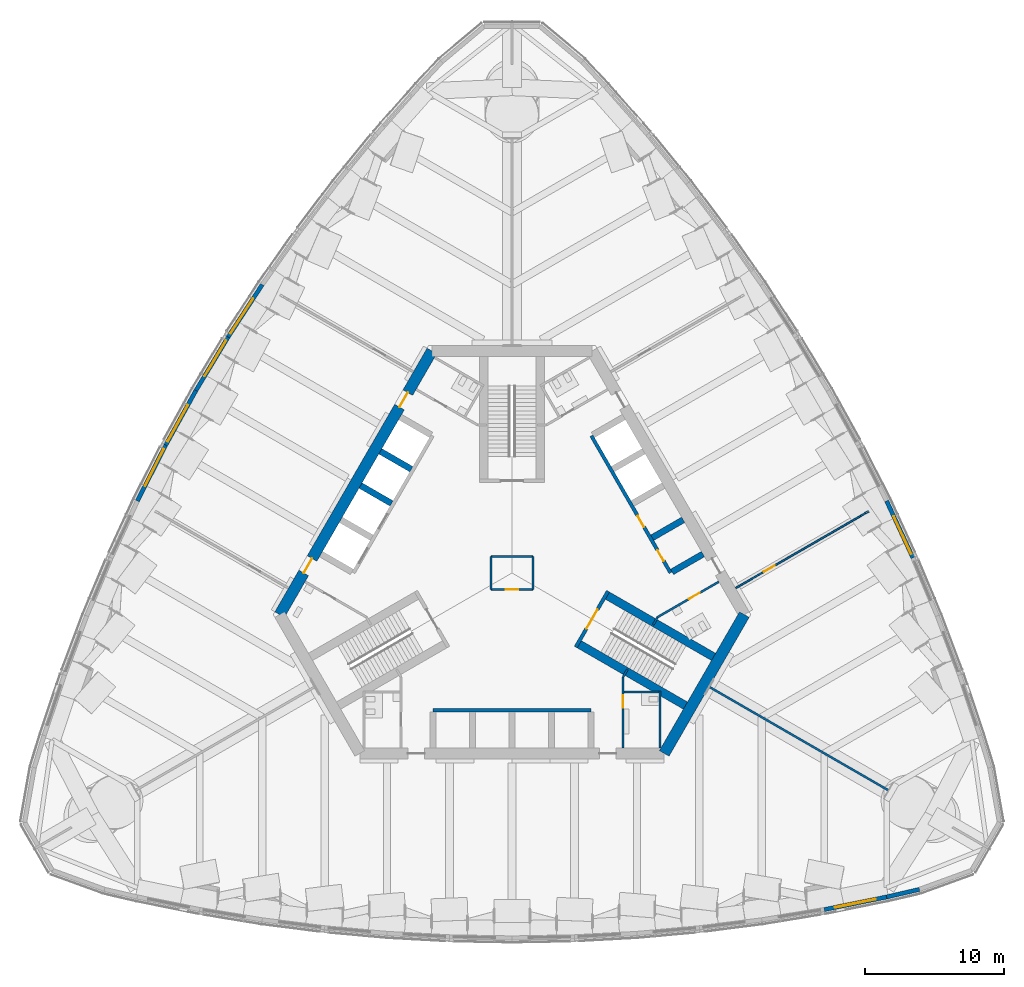
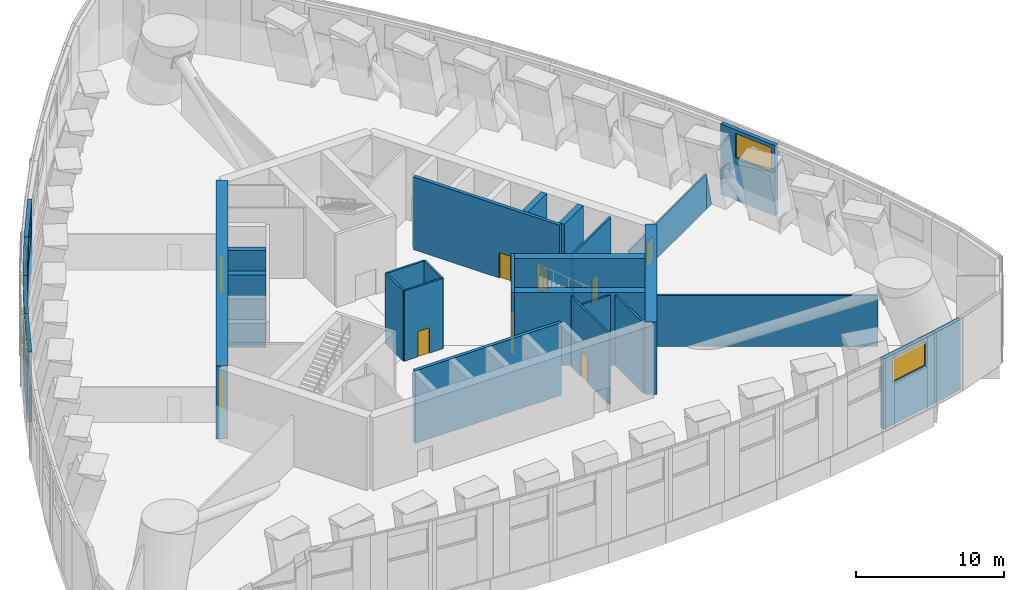
# One storey, part 8 of 25: 31 walls, 9 doors, 6 windows, 15 openings.
"""IFC4 building model written with IfcOpenShell, lengths in metres."""

import ifcopenshell
import ifcopenshell.guid

model = None  # the IFC model being written
_history = None  # IfcOwnerHistory: only IFC2X3 demands one
_inside = {}  # id of a spatial element -> (the spatial element, [elements in it])
_under = {}  # id of a project, library or spatial element -> (it, [spatial elements below it])
_declared = {}  # id of a project -> (the project, [libraries it declares])
_typed = {}  # id of a type object -> (the type object, [elements of that type])
_made_of = {}  # id of a material, layer set ... -> (it, [elements and type objects made of it])


def new_model(schema):
    """Start an empty IFC model of exactly this schema.

    Asked for "IFC4X3", IfcOpenShell would pick the latest addendum, in which some entities
    have other attributes; the version numbers below select the first issue.
    IFC2X3 requires an IfcOwnerHistory on every rooted entity: one is made here for all.
    """
    global model, _history
    if schema == "IFC4X3":
        model = ifcopenshell.file(schema_version=(4, 3, 0, 0))
    else:
        model = ifcopenshell.file(schema=schema)
    _inside.clear()
    _under.clear()
    _declared.clear()
    _typed.clear()
    _made_of.clear()
    _history = None
    if model.schema == "IFC2X3":
        org = make("IfcOrganization", Name="unknown")
        user = make(
            "IfcPersonAndOrganization",
            ThePerson=make("IfcPerson", FamilyName="unknown"),
            TheOrganization=org,
        )
        app = make(
            "IfcApplication",
            ApplicationDeveloper=org,
            Version="unknown",
            ApplicationFullName="unknown",
            ApplicationIdentifier="unknown",
        )
        _history = make(
            "IfcOwnerHistory",
            OwningUser=user,
            OwningApplication=app,
            ChangeAction="ADDED",
            CreationDate=0,
        )
    return model


def make(cls, **values):
    """One entity of the class cls with the attributes given. An attribute that is None is left unset."""
    return model.create_entity(
        cls, **{name: value for name, value in values.items() if value is not None}
    )


def rooted(cls, **values):
    """An entity with a GlobalId (a new one), such as an element, a storey or a relation."""
    return make(cls, GlobalId=ifcopenshell.guid.new(), OwnerHistory=_history, **values)


def si_unit(unit_type, name, prefix=None):
    """IfcSIUnit, for example si_unit("LENGTHUNIT", "METRE", prefix="MILLI")."""
    return make("IfcSIUnit", UnitType=unit_type, Prefix=prefix, Name=name)


def assignment(units):
    """IfcUnitAssignment: the units of a project."""
    return None if units is None else make("IfcUnitAssignment", Units=units)


def point(xyz):
    """IfcCartesianPoint."""
    return None if xyz is None else make("IfcCartesianPoint", Coordinates=xyz)


def direction(xyz):
    """IfcDirection."""
    return None if xyz is None else make("IfcDirection", DirectionRatios=xyz)


def frame(location, z_axis=None, x_axis=None):
    """IfcAxis2Placement3D, a coordinate frame: its origin and axes. An axis left out is left unset."""
    return make(
        "IfcAxis2Placement3D",
        Location=point(location),
        Axis=direction(z_axis),
        RefDirection=direction(x_axis),
    )


def frame_2d(location, x_axis=None):
    """IfcAxis2Placement2D, a coordinate frame in the plane: its origin and x axis."""
    return make(
        "IfcAxis2Placement2D", Location=point(location), RefDirection=direction(x_axis)
    )


def origin():
    """The frame at (0, 0, 0) with its axes left unset."""
    return frame((0.0, 0.0, 0.0))


def place(relative_to, where):
    """IfcLocalPlacement: puts the frame where relative to a parent placement (None: the world)."""
    return make(
        "IfcLocalPlacement", PlacementRelTo=relative_to, RelativePlacement=where
    )


def context(
    kind, dimensions, precision=None, world=None, true_north=None, identifier=None
):
    """IfcGeometricRepresentationContext, for example the 3D "Model" context."""
    return make(
        "IfcGeometricRepresentationContext",
        ContextIdentifier=identifier,
        ContextType=kind,
        CoordinateSpaceDimension=dimensions,
        Precision=precision,
        WorldCoordinateSystem=world,
        TrueNorth=true_north,
    )


def subcontext(parent, identifier, kind, view, scale=None):
    """IfcGeometricRepresentationSubContext, for example "Body" below "Model"."""
    return make(
        "IfcGeometricRepresentationSubContext",
        ContextIdentifier=identifier,
        ContextType=kind,
        ParentContext=parent,
        TargetScale=scale,
        TargetView=view,
    )


def project(units=None, contexts=None):
    """IfcProject with its units and contexts."""
    return rooted(
        "IfcProject",
        Name="project",
        RepresentationContexts=contexts,
        UnitsInContext=assignment(units),
    )


def spatial(cls, under=None, at=None, **own):
    """A site, building, storey or space (cls), placed at a placement, below another one or the project."""
    s = rooted(cls, ObjectPlacement=at, **own)
    if under is not None:
        _under.setdefault(under.id(), (under, []))[1].append(s)
    return s


def polyline(points):
    """IfcPolyline through the points."""
    return make("IfcPolyline", Points=[point(p) for p in points])


def profile(cls, at=None, kind="AREA", **sizes):
    """A parametric profile (cls). Its sizes go by their IFC names, for example OverallWidth=200.0."""
    return make(cls, ProfileType=kind, Position=at, **sizes)


def rectangle(**sizes):
    """IfcRectangleProfileDef."""
    return profile("IfcRectangleProfileDef", **sizes)


def outline(outer, holes=None, kind="AREA"):
    """IfcArbitraryClosedProfileDef: a profile drawn as a closed curve; with holes, ...WithVoids."""
    if holes is None:
        return make("IfcArbitraryClosedProfileDef", ProfileType=kind, OuterCurve=outer)
    return make(
        "IfcArbitraryProfileDefWithVoids",
        ProfileType=kind,
        OuterCurve=outer,
        InnerCurves=holes,
    )


def extrude(swept, where, along, depth):
    """IfcExtrudedAreaSolid: the profile swept, set in the frame where, extruded along a direction by depth."""
    return make(
        "IfcExtrudedAreaSolid",
        SweptArea=swept,
        Position=where,
        ExtrudedDirection=direction(along),
        Depth=depth,
    )


def shape(context_of_items, identifier, shape_type, items):
    """IfcShapeRepresentation: the items that make up one representation, for example the "Body"."""
    return make(
        "IfcShapeRepresentation",
        ContextOfItems=context_of_items,
        RepresentationIdentifier=identifier,
        RepresentationType=shape_type,
        Items=items,
    )


def material(Name=None, Category=None):
    """IfcMaterial."""
    return make("IfcMaterial", Name=Name, Category=Category)


def layer(
    of_material, thickness, ventilated=None, Name=None, Category=None, Priority=None
):
    """IfcMaterialLayer: one layer of a wall or slab, of a material (None: an air gap)."""
    return make(
        "IfcMaterialLayer",
        Material=of_material,
        LayerThickness=thickness,
        IsVentilated=ventilated,
        Name=Name,
        Category=Category,
        Priority=Priority,
    )


def layer_set(layers, Name=None):
    """IfcMaterialLayerSet."""
    return make("IfcMaterialLayerSet", MaterialLayers=layers, LayerSetName=Name)


def made_of(thing, what):
    """Note that an element or type object is made of a material, layer set ...; save() writes the relation."""
    if what is not None:
        _made_of.setdefault(what.id(), (what, []))[1].append(thing)
    return thing


def type_object(cls, material=None, **own):
    """A type object (cls), such as IfcWallType, which elements share."""
    return made_of(rooted(cls, **own), material)


def element(
    cls,
    number,
    at=None,
    inside=None,
    cuts=None,
    type_object=None,
    material=None,
    context=None,
    identifier="Body",
    shape_type=None,
    held_by="IfcProductDefinitionShape",
    body=None,
    shapes=None,
    **own,
):
    """One element of the class cls, such as IfcWall. Its Tag is "e" and its number.

    at: its placement. inside: the storey or other place that contains it. cuts: it is an
    opening in that element (IfcRelVoidsElement). A single representation is given by context,
    identifier, shape_type and body (its items); several are given by shapes. held_by: the class
    of the entity that holds the representations. save() writes the other relations.
    """
    e = rooted(cls, Tag="e%d" % number, ObjectPlacement=at, **own)
    if body is not None:
        shapes = [shape(context, identifier, shape_type, body)]
    if shapes is not None:
        e.Representation = make(held_by, Representations=shapes)
    if inside is not None:
        _inside.setdefault(inside.id(), (inside, []))[1].append(e)
    if cuts is not None:
        rooted(
            "IfcRelVoidsElement", RelatingBuildingElement=cuts, RelatedOpeningElement=e
        )
    if type_object is not None:
        _typed.setdefault(type_object.id(), (type_object, []))[1].append(e)
    return made_of(e, material)


def fill(opening, filler):
    """IfcRelFillsElement: the door or window that sits in an opening."""
    return rooted(
        "IfcRelFillsElement",
        RelatingOpeningElement=opening,
        RelatedBuildingElement=filler,
    )


def aggregate(whole, parts):
    """IfcRelAggregates: a whole, such as a stair, and the parts it consists of."""
    return rooted("IfcRelAggregates", RelatingObject=whole, RelatedObjects=parts)


def save(model, path):
    """Write the relations noted so far, then the file.

    IfcRelAggregates (storeys below a building ...), IfcRelContainedInSpatialStructure (elements
    in a storey), IfcRelDefinesByType, IfcRelAssociatesMaterial and IfcRelDeclares: one each for
    every whole, place, type object, material and project.
    """
    for whole, parts in _under.values():
        aggregate(whole, parts)
    for where, things in _inside.values():
        rooted(
            "IfcRelContainedInSpatialStructure",
            RelatedElements=things,
            RelatingStructure=where,
        )
    for kind, things in _typed.values():
        rooted("IfcRelDefinesByType", RelatedObjects=things, RelatingType=kind)
    for what, things in _made_of.values():
        rooted("IfcRelAssociatesMaterial", RelatedObjects=things, RelatingMaterial=what)
    for by, libraries in _declared.values():
        rooted("IfcRelDeclares", RelatingContext=by, RelatedDefinitions=libraries)
    model.write(path)


model = new_model("IFC4")

# Units and contexts
model_context = context("Model", 3, precision=1e-05, world=origin(), true_north=direction((0.0, 1.0)))
body_context = subcontext(model_context, "Body", "Model", "MODEL_VIEW")
ifc_project = project(units=[si_unit("LENGTHUNIT", "METRE"), si_unit("AREAUNIT", "SQUARE_METRE"), si_unit("VOLUMEUNIT", "CUBIC_METRE"), si_unit("PLANEANGLEUNIT", "RADIAN"), si_unit("MASSUNIT", "GRAM", prefix="KILO")], contexts=[model_context])

# Site, building, storey
site_placement = place(None, origin())
site = spatial("IfcSite", under=ifc_project, at=site_placement, CompositionType="ELEMENT")
building_placement = place(site_placement, origin())
building = spatial("IfcBuilding", under=site, at=building_placement, Name="Trefoil Bronze Tower", CompositionType="ELEMENT")
storey_placement = place(building_placement, frame((0.0, 0.0, 178.699951171875)))
storey = spatial("IfcBuildingStorey", under=building, at=storey_placement, Name="L41", CompositionType="ELEMENT", Elevation=178.699951171875)

# Wall, opening, window
ifc_material_1 = material(Name="Concrete B80", Category="concrete")
ifc_layer_1 = layer(ifc_material_1, 0.300048828125)
ifc_layer_set_1 = layer_set([ifc_layer_1], Name="Belt wall 300")
wall_type_1 = type_object("IfcWallType", Name="Belt wall 300", PredefinedType="SOLIDWALL", material=ifc_layer_set_1)
wall_1_placement = place(storey_placement, frame((22.5, -24.255859375, 0.0), z_axis=(0.0, 0.0, 1.0), x_axis=(0.980152955069, 0.198242741781, 0.0)))
wall_1 = element("IfcWall", 1, at=wall_1_placement, inside=storey, type_object=wall_type_1, Name="Belt wall T2.13", PredefinedType="SOLIDWALL", context=body_context, shape_type="SweptSolid", body=[
    extrude(rectangle(XDim=4.591064453125, YDim=0.300048828125, at=frame_2d((2.29541015625, 0.0))), origin(), (0.0, 0.0, 1.0), 5.800048828125),
])
opening_1_placement = place(wall_1_placement, frame((0.795654296875, 0.0, 3.5)))
opening_1 = element("IfcOpeningElement", 2, at=opening_1_placement, cuts=wall_1, Name="Opening LV1", PredefinedType="OPENING", context=body_context, shape_type="SweptSolid", body=[
    extrude(rectangle(XDim=3.0, YDim=2.0, at=frame_2d((1.5, 1.0))), frame((0.0, 0.159912109375, 0.0), z_axis=(0.0, -1.0, 0.0), x_axis=(1.0, 0.0, 0.0)), (0.0, 0.0, 1.0), 0.320068359375),
])
ifc_material_2 = material(Name="Bronze-finish aluminium louvre", Category="aluminium")
window_type = type_object("IfcWindowType", Name="Plant louvre 3000", PartitioningType="SINGLE_PANEL", PredefinedType="USERDEFINED", material=ifc_material_2)
window_1_placement = place(opening_1_placement, origin())
window_1 = element("IfcWindow", 3, at=window_1_placement, inside=storey, type_object=window_type, Name="Plant louvre L41 F1.13.1", ObjectType="LOUVRE", OverallHeight=2.0, OverallWidth=3.0, PartitioningType="SINGLE_PANEL", PredefinedType="USERDEFINED", context=body_context, shape_type="SweptSolid", body=[
    extrude(rectangle(XDim=3.0, YDim=2.0, at=frame_2d((1.5, 1.0))), frame((0.0, 0.030029296875, 0.0), z_axis=(0.0, -1.0, 0.0), x_axis=(1.0, 0.0, 0.0)), (0.0, 0.0, 1.0), 0.06005859375),
])
fill(opening_1, window_1)

# Wall
wall_2_placement = place(storey_placement, frame((27.0, -23.345703125, 0.0), z_axis=(0.0, 0.0, 1.0), x_axis=(0.974203832844, 0.225669874089, 0.0)))
element("IfcWall", 4, at=wall_2_placement, inside=storey, type_object=wall_type_1, Name="Belt wall T2.14", PredefinedType="SOLIDWALL", context=body_context, shape_type="SweptSolid", body=[
    extrude(rectangle(XDim=2.420166015625, YDim=0.300048828125, at=frame_2d((1.2099609375, 0.0))), origin(), (0.0, 0.0, 1.0), 5.800048828125),
])

# Wall, opening, window
wall_3_placement = place(storey_placement, frame((28.892333984375, 1.092529296875, 0.0), z_axis=(0.0, 0.0, 1.0), x_axis=(-0.419948870618, 0.907547765171, 0.0)))
wall_3 = element("IfcWall", 5, at=wall_3_placement, inside=storey, type_object=wall_type_1, Name="Belt wall T2.22", PredefinedType="SOLIDWALL", context=body_context, shape_type="SweptSolid", body=[
    extrude(rectangle(XDim=4.518310546875, YDim=0.300048828125, at=frame_2d((2.25927734375, 0.0))), origin(), (0.0, 0.0, 1.0), 5.800048828125),
])
opening_2_placement = place(wall_3_placement, frame((0.300048828125, 0.0, 3.5)))
opening_2 = element("IfcOpeningElement", 6, at=opening_2_placement, cuts=wall_3, Name="Opening LV1", PredefinedType="OPENING", context=body_context, shape_type="SweptSolid", body=[
    extrude(rectangle(XDim=3.0, YDim=2.0, at=frame_2d((1.5, 1.0))), frame((0.0, 0.159912109375, 0.0), z_axis=(0.0, -1.0, 0.0), x_axis=(1.0, 0.0, 0.0)), (0.0, 0.0, 1.0), 0.320068359375),
])
window_2_placement = place(opening_2_placement, origin())
window_2 = element("IfcWindow", 7, at=window_2_placement, inside=storey, type_object=window_type, Name="Plant louvre L41 F2.5.1", ObjectType="LOUVRE", OverallHeight=2.0, OverallWidth=3.0, PartitioningType="SINGLE_PANEL", PredefinedType="USERDEFINED", context=body_context, shape_type="SweptSolid", body=[
    extrude(rectangle(XDim=3.0, YDim=2.0, at=frame_2d((1.5, 1.0))), frame((0.0, 0.030029296875, 0.0), z_axis=(0.0, -1.0, 0.0), x_axis=(1.0, 0.0, 0.0)), (0.0, 0.0, 1.0), 0.06005859375),
])
fill(opening_2, window_2)

wall_4_placement = place(storey_placement, frame((-17.994873046875, 20.78173828125, 0.0), z_axis=(0.0, 0.0, 1.0), x_axis=(-0.546107481908, -0.83771511757, 0.0)))
wall_4 = element("IfcWall", 8, at=wall_4_placement, inside=storey, type_object=wall_type_1, Name="Belt wall T2.40", PredefinedType="SOLIDWALL", context=body_context, shape_type="SweptSolid", body=[
    extrude(rectangle(XDim=4.5068359375, YDim=0.300048828125, at=frame_2d((2.25341796875, 0.0))), origin(), (0.0, 0.0, 1.0), 5.800048828125),
])
opening_3_placement = place(wall_4_placement, frame((1.20654296875, 0.0, 3.5)))
opening_3 = element("IfcOpeningElement", 9, at=opening_3_placement, cuts=wall_4, Name="Opening LV1", PredefinedType="OPENING", context=body_context, shape_type="SweptSolid", body=[
    extrude(rectangle(XDim=3.0, YDim=2.0, at=frame_2d((1.5, 1.0))), frame((0.0, 0.159912109375, 0.0), z_axis=(0.0, -1.0, 0.0), x_axis=(1.0, 0.0, 0.0)), (0.0, 0.0, 1.0), 0.320068359375),
])
window_3_placement = place(opening_3_placement, origin())
window_3 = element("IfcWindow", 10, at=window_3_placement, inside=storey, type_object=window_type, Name="Plant louvre L41 F3.6.1", ObjectType="LOUVRE", OverallHeight=2.0, OverallWidth=3.0, PartitioningType="SINGLE_PANEL", PredefinedType="USERDEFINED", context=body_context, shape_type="SweptSolid", body=[
    extrude(rectangle(XDim=3.0, YDim=2.0, at=frame_2d((1.5, 1.0))), frame((0.0, 0.030029296875, 0.0), z_axis=(0.0, -1.0, 0.0), x_axis=(1.0, 0.0, 0.0)), (0.0, 0.0, 1.0), 0.06005859375),
])
fill(opening_3, window_3)

wall_5_placement = place(storey_placement, frame((-20.4560546875, 17.00634765625, 0.0), z_axis=(0.0, 0.0, 1.0), x_axis=(-0.515508537432, -0.856884442521, 0.0)))
wall_5 = element("IfcWall", 11, at=wall_5_placement, inside=storey, type_object=wall_type_1, Name="Belt wall T2.41", PredefinedType="SOLIDWALL", context=body_context, shape_type="SweptSolid", body=[
    extrude(rectangle(XDim=4.50048828125, YDim=0.300048828125, at=frame_2d((2.250244140625, 0.0))), origin(), (0.0, 0.0, 1.0), 5.800048828125),
])
opening_4_placement = place(wall_5_placement, frame((0.300048828125, 0.0, 3.5)))
opening_4 = element("IfcOpeningElement", 12, at=opening_4_placement, cuts=wall_5, Name="Opening LV1", PredefinedType="OPENING", context=body_context, shape_type="SweptSolid", body=[
    extrude(rectangle(XDim=3.0, YDim=2.0, at=frame_2d((1.5, 1.0))), frame((0.0, 0.159912109375, 0.0), z_axis=(0.0, -1.0, 0.0), x_axis=(1.0, 0.0, 0.0)), (0.0, 0.0, 1.0), 0.320068359375),
])
window_4_placement = place(opening_4_placement, origin())
window_4 = element("IfcWindow", 13, at=window_4_placement, inside=storey, type_object=window_type, Name="Plant louvre L41 F3.7.1", ObjectType="LOUVRE", OverallHeight=2.0, OverallWidth=3.0, PartitioningType="SINGLE_PANEL", PredefinedType="USERDEFINED", context=body_context, shape_type="SweptSolid", body=[
    extrude(rectangle(XDim=3.0, YDim=2.0, at=frame_2d((1.5, 1.0))), frame((0.0, 0.030029296875, 0.0), z_axis=(0.0, -1.0, 0.0), x_axis=(1.0, 0.0, 0.0)), (0.0, 0.0, 1.0), 0.06005859375),
])
fill(opening_4, window_4)

wall_6_placement = place(storey_placement, frame((-22.776123046875, 13.14990234375, 0.0), z_axis=(0.0, 0.0, 1.0), x_axis=(-0.48433441842, -0.874882947104, 0.0)))
wall_6 = element("IfcWall", 14, at=wall_6_placement, inside=storey, type_object=wall_type_1, Name="Belt wall T2.42", PredefinedType="SOLIDWALL", context=body_context, shape_type="SweptSolid", body=[
    extrude(rectangle(XDim=4.5009765625, YDim=0.300048828125, at=frame_2d((2.25048828125, 0.0))), origin(), (0.0, 0.0, 1.0), 5.800048828125),
])
opening_5_placement = place(wall_6_placement, frame((1.20068359375, 0.0, 3.5)))
opening_5 = element("IfcOpeningElement", 15, at=opening_5_placement, cuts=wall_6, Name="Opening LV1", PredefinedType="OPENING", context=body_context, shape_type="SweptSolid", body=[
    extrude(rectangle(XDim=3.0, YDim=2.0, at=frame_2d((1.5, 1.0))), frame((0.0, 0.159912109375, 0.0), z_axis=(0.0, -1.0, 0.0), x_axis=(1.0, 0.0, 0.0)), (0.0, 0.0, 1.0), 0.320068359375),
])
window_5_placement = place(opening_5_placement, origin())
window_5 = element("IfcWindow", 16, at=window_5_placement, inside=storey, type_object=window_type, Name="Plant louvre L41 F3.8.1", ObjectType="LOUVRE", OverallHeight=2.0, OverallWidth=3.0, PartitioningType="SINGLE_PANEL", PredefinedType="USERDEFINED", context=body_context, shape_type="SweptSolid", body=[
    extrude(rectangle(XDim=3.0, YDim=2.0, at=frame_2d((1.5, 1.0))), frame((0.0, 0.030029296875, 0.0), z_axis=(0.0, -1.0, 0.0), x_axis=(1.0, 0.0, 0.0)), (0.0, 0.0, 1.0), 0.06005859375),
])
fill(opening_5, window_5)

wall_7_placement = place(storey_placement, frame((-24.9560546875, 9.212158203125, 0.0), z_axis=(0.0, 0.0, 1.0), x_axis=(-0.452406735601, -0.891811720927, 0.0)))
wall_7 = element("IfcWall", 17, at=wall_7_placement, inside=storey, type_object=wall_type_1, Name="Belt wall T2.43", PredefinedType="SOLIDWALL", context=body_context, shape_type="SweptSolid", body=[
    extrude(rectangle(XDim=4.506591796875, YDim=0.300048828125, at=frame_2d((2.25341796875, 0.0))), origin(), (0.0, 0.0, 1.0), 5.800048828125),
])
opening_6_placement = place(wall_7_placement, frame((0.300048828125, 0.0, 3.5)))
opening_6 = element("IfcOpeningElement", 18, at=opening_6_placement, cuts=wall_7, Name="Opening LV1", PredefinedType="OPENING", context=body_context, shape_type="SweptSolid", body=[
    extrude(rectangle(XDim=3.0, YDim=2.0, at=frame_2d((1.5, 1.0))), frame((0.0, 0.159912109375, 0.0), z_axis=(0.0, -1.0, 0.0), x_axis=(1.0, 0.0, 0.0)), (0.0, 0.0, 1.0), 0.320068359375),
])
window_6_placement = place(opening_6_placement, origin())
window_6 = element("IfcWindow", 19, at=window_6_placement, inside=storey, type_object=window_type, Name="Plant louvre L41 F3.9.1", ObjectType="LOUVRE", OverallHeight=2.0, OverallWidth=3.0, PartitioningType="SINGLE_PANEL", PredefinedType="USERDEFINED", context=body_context, shape_type="SweptSolid", body=[
    extrude(rectangle(XDim=3.0, YDim=2.0, at=frame_2d((1.5, 1.0))), frame((0.0, 0.030029296875, 0.0), z_axis=(0.0, -1.0, 0.0), x_axis=(1.0, 0.0, 0.0)), (0.0, 0.0, 1.0), 0.06005859375),
])
fill(opening_6, window_6)

# Wall
ifc_material_3 = material(Name="Concrete B80", Category="concrete")
ifc_layer_2 = layer(ifc_material_3, 0.800048828125)
ifc_layer_set_2 = layer_set([ifc_layer_2], Name="Core wall 800")
wall_type_2 = type_object("IfcWallType", Name="Core wall 800", PredefinedType="SHEAR", material=ifc_layer_set_2)
wall_8_placement = place(storey_placement, frame((10.9697265625, -13.0, 0.0), z_axis=(0.0, 0.0, 1.0), x_axis=(0.499995765644, 0.866027848477, 0.0)))
element("IfcWall", 20, at=wall_8_placement, inside=storey, type_object=wall_type_2, Name="Core short wall 1 L41", PredefinedType="SHEAR", context=body_context, shape_type="SweptSolid", body=[
    extrude(rectangle(XDim=11.546875, YDim=0.800048828125, at=frame_2d((5.7734375, 0.0))), origin(), (0.0, 0.0, 1.0), 6.0),
])

# Wall, openings, doors
wall_9_placement = place(storey_placement, frame((-5.7734375, 16.0, 0.0), z_axis=(0.0, 0.0, 1.0), x_axis=(-0.500002442456, -0.866023993627, 0.0)))
wall_9 = element("IfcWall", 21, at=wall_9_placement, inside=storey, type_object=wall_type_2, Name="Core long wall 3 L41", PredefinedType="SHEAR", context=body_context, shape_type="SweptSolid", body=[
    extrude(rectangle(XDim=21.939453125, YDim=0.800048828125, at=frame_2d((10.9697265625, 0.0))), origin(), (0.0, 0.0, 1.0), 6.0),
])
opening_7_placement = place(wall_9_placement, frame((17.269775390625, 0.0, 0.0)))
opening_7 = element("IfcOpeningElement", 22, at=opening_7_placement, cuts=wall_9, Name="Opening D2", PredefinedType="OPENING", context=body_context, shape_type="SweptSolid", body=[
    extrude(rectangle(XDim=1.199951171875, YDim=2.10009765625, at=frame_2d((0.60009765625, 1.050048828125))), frame((0.0, 0.409912109375, 0.0), z_axis=(0.0, -1.0, 0.0), x_axis=(1.0, 0.0, 0.0)), (0.0, 0.0, 1.0), 0.820068359375),
])
opening_8_placement = place(wall_9_placement, frame((3.4697265625, 0.0, 0.0)))
opening_8 = element("IfcOpeningElement", 23, at=opening_8_placement, cuts=wall_9, Name="Opening D2", PredefinedType="OPENING", context=body_context, shape_type="SweptSolid", body=[
    extrude(rectangle(XDim=1.199951171875, YDim=2.10009765625, at=frame_2d((0.60009765625, 1.050048828125))), frame((0.0, 0.409912109375, 0.0), z_axis=(0.0, -1.0, 0.0), x_axis=(1.0, 0.0, 0.0)), (0.0, 0.0, 1.0), 0.820068359375),
])
ifc_material_4 = material(Name="Steel door", Category="steel")
door_type_1 = type_object("IfcDoorType", Name="Lobby door 1200", OperationType="SINGLE_SWING_RIGHT", PredefinedType="DOOR", material=ifc_material_4)
door_1_placement = place(opening_7_placement, origin())
door_1 = element("IfcDoor", 24, at=door_1_placement, inside=storey, type_object=door_type_1, Name="Lobby door F3+ L41", OperationType="SINGLE_SWING_RIGHT", OverallHeight=2.10009765625, OverallWidth=1.199951171875, PredefinedType="DOOR", context=body_context, shape_type="SweptSolid", body=[
    extrude(rectangle(XDim=1.199951171875, YDim=2.10009765625, at=frame_2d((0.60009765625, 1.050048828125))), frame((0.0, 0.02490234375, 0.0), z_axis=(0.0, -1.0, 0.0), x_axis=(1.0, 0.0, 0.0)), (0.0, 0.0, 1.0), 0.050048828125),
])
fill(opening_7, door_1)
door_2_placement = place(opening_8_placement, origin())
door_2 = element("IfcDoor", 25, at=door_2_placement, inside=storey, type_object=door_type_1, Name="Lobby door F3- L41", OperationType="SINGLE_SWING_LEFT", OverallHeight=2.10009765625, OverallWidth=1.199951171875, PredefinedType="DOOR", context=body_context, shape_type="SweptSolid", body=[
    extrude(rectangle(XDim=1.199951171875, YDim=2.10009765625, at=frame_2d((0.60009765625, 1.050048828125))), frame((0.0, 0.02490234375, 0.0), z_axis=(0.0, -1.0, 0.0), x_axis=(1.0, 0.0, 0.0)), (0.0, 0.0, 1.0), 0.050048828125),
])
fill(opening_8, door_2)

# Wall
ifc_material_5 = material(Name="Glazed partition", Category="glass")
ifc_layer_3 = layer(ifc_material_5, 0.1201171875)
ifc_layer_set_3 = layer_set([ifc_layer_3], Name="Glazed partition 120")
wall_type_3 = type_object("IfcWallType", Name="Glazed partition 120", PredefinedType="PARTITIONING", material=ifc_layer_set_3)
wall_10_placement = place(storey_placement, frame((25.122314453125, 4.112060546875, 0.0), z_axis=(0.0, 0.0, 1.0), x_axis=(0.866002566612, 0.500039553057, 0.0)))
element("IfcWall", 26, at=wall_10_placement, inside=storey, type_object=wall_type_3, Name="Partition F2 L41", PredefinedType="PARTITIONING", context=body_context, shape_type="SweptSolid", body=[
    extrude(outline(polyline([(0.0, 0.0), (0.66650390625, 0.0), (0.66650390625, 0.050048828125), (0.0, 2.900146484375), (0.0, 0.0)])), frame((0.0, 0.06005859375, 0.0), z_axis=(0.0, -1.0, 0.0), x_axis=(1.0, 0.0, 0.0)), (0.0, 0.0, 1.0), 0.1201171875),
])

# Wall, opening, door
wall_11_placement = place(storey_placement, frame((16.1220703125, -1.084228515625, 0.0), z_axis=(0.0, 0.0, 1.0), x_axis=(0.866025583565, 0.49999968861, 0.0)))
wall_11 = element("IfcWall", 27, at=wall_11_placement, inside=storey, type_object=wall_type_3, Name="Partition F2 L41", PredefinedType="PARTITIONING", context=body_context, shape_type="SweptSolid", body=[
    extrude(rectangle(XDim=10.392578125, YDim=0.1201171875, at=frame_2d((5.1962890625, 0.0))), origin(), (0.0, 0.0, 1.0), 2.900146484375),
])
opening_9_placement = place(wall_11_placement, frame((2.35009765625, 0.0, 0.0)))
opening_9 = element("IfcOpeningElement", 28, at=opening_9_placement, cuts=wall_11, Name="Opening D8", PredefinedType="OPENING", context=body_context, shape_type="SweptSolid", body=[
    extrude(rectangle(XDim=0.89990234375, YDim=2.10009765625, at=frame_2d((0.449951171875, 1.050048828125))), frame((0.0, 0.070068359375, 0.0), z_axis=(0.0, -1.0, 0.0), x_axis=(1.0, 0.0, 0.0)), (0.0, 0.0, 1.0), 0.14013671875),
])
ifc_material_6 = material(Name="Timber door", Category="wood")
door_type_2 = type_object("IfcDoorType", Name="Office door 900", OperationType="SINGLE_SWING_LEFT", PredefinedType="DOOR", material=ifc_material_6)
door_3_placement = place(opening_9_placement, origin())
door_3 = element("IfcDoor", 29, at=door_3_placement, inside=storey, type_object=door_type_2, Name="Water treatment plant room door F2 L41", OperationType="SINGLE_SWING_LEFT", OverallHeight=2.10009765625, OverallWidth=0.89990234375, PredefinedType="DOOR", context=body_context, shape_type="SweptSolid", body=[
    extrude(rectangle(XDim=0.89990234375, YDim=2.10009765625, at=frame_2d((0.449951171875, 1.050048828125))), frame((0.0, 0.02490234375, 0.0), z_axis=(0.0, -1.0, 0.0), x_axis=(1.0, 0.0, 0.0)), (0.0, 0.0, 1.0), 0.050048828125),
])
fill(opening_9, door_3)

# Walls
ifc_material_7 = material(Name="Concrete B80", Category="concrete")
ifc_layer_4 = layer(ifc_material_7, 0.449951171875)
ifc_layer_set_4 = layer_set([ifc_layer_4], Name="Outrigger shaft wall 450")
wall_type_4 = type_object("IfcWallType", Name="Outrigger shaft wall 450", PredefinedType="SHEAR", material=ifc_layer_set_4)
for number, where, z_axis, x_axis, name in (
    (30, (11.531982421875, 0.076171875, 0.0), (0.0, 0.0, 1.0), (0.866005588531, 0.500034319456, 0.0), "Lift shaft side wall B0 L41"),
    (31, (10.10693359375, 2.54443359375, 0.0), (0.0, 0.0, 1.0), (0.866046643894, 0.499963209246, 0.0), "Lift shaft side wall B1 L41"),
    (32, (-7.2568359375, 7.480712890625, 0.0), (0.0, 0.0, 1.0), (-0.866046643894, 0.499963209246, 0.0), "Lift shaft side wall C1 L41"),
    (33, (-8.681884765625, 5.012451171875, 0.0), (0.0, 0.0, 1.0), (-0.866005588531, 0.500034319456, 0.0), "Lift shaft side wall C2 L41"),
):
    element("IfcWall", number, at=place(storey_placement, frame(where, z_axis=z_axis, x_axis=x_axis)), inside=storey, type_object=wall_type_4, Name=name, PredefinedType="SHEAR", context=body_context, shape_type="SweptSolid", body=[
        extrude(rectangle(XDim=2.574951171875, YDim=0.449951171875, at=frame_2d((1.28759765625, 0.0))), origin(), (0.0, 0.0, 1.0), 6.0),
    ])

# Wall, opening, door
ifc_material_8 = material(Name="Gypsum board on steel studs", Category="steel")
ifc_layer_5 = layer(ifc_material_8, 0.14990234375)
ifc_layer_set_5 = layer_set([ifc_layer_5], Name="Partition 150")
wall_type_5 = type_object("IfcWallType", Name="Partition 150", PredefinedType="PARTITIONING", material=ifc_layer_set_5)
wall_12_placement = place(storey_placement, frame((8.0, -7.5, 0.0), z_axis=(0.0, 0.0, 1.0), x_axis=(0.0, -1.0, 0.0)))
wall_12 = element("IfcWall", 34, at=wall_12_placement, inside=storey, type_object=wall_type_5, Name="Passage wall F1+ L41", PredefinedType="PARTITIONING", context=body_context, shape_type="SweptSolid", body=[
    extrude(rectangle(XDim=5.10009765625, YDim=0.14990234375, at=frame_2d((2.550048828125, 0.0))), origin(), (0.0, 0.0, 1.0), 5.800048828125),
])
opening_10_placement = place(wall_12_placement, frame((1.300048828125, 0.0, 0.0)))
opening_10 = element("IfcOpeningElement", 35, at=opening_10_placement, cuts=wall_12, Name="Opening D3", PredefinedType="OPENING", context=body_context, shape_type="SweptSolid", body=[
    extrude(rectangle(XDim=0.89990234375, YDim=2.10009765625, at=frame_2d((0.449951171875, 1.050048828125))), frame((0.0, 0.0849609375, 0.0), z_axis=(0.0, -1.0, 0.0), x_axis=(1.0, 0.0, 0.0)), (0.0, 0.0, 1.0), 0.169921875),
])
ifc_material_9 = material(Name="Timber door", Category="wood")
door_type_3 = type_object("IfcDoorType", Name="WC door 900", OperationType="SINGLE_SWING_LEFT", PredefinedType="DOOR", material=ifc_material_9)
door_4_placement = place(opening_10_placement, origin())
door_4 = element("IfcDoor", 36, at=door_4_placement, inside=storey, type_object=door_type_3, Name="WC (men) door L41", OperationType="SINGLE_SWING_LEFT", OverallHeight=2.10009765625, OverallWidth=0.89990234375, PredefinedType="DOOR", context=body_context, shape_type="SweptSolid", body=[
    extrude(rectangle(XDim=0.89990234375, YDim=2.10009765625, at=frame_2d((0.449951171875, 1.050048828125))), frame((0.0, 0.02490234375, 0.0), z_axis=(0.0, -1.0, 0.0), x_axis=(1.0, 0.0, 0.0)), (0.0, 0.0, 1.0), 0.050048828125),
])
fill(opening_10, door_4)

wall_13_placement = place(storey_placement, frame((10.4951171875, -3.17822265625, 0.0), z_axis=(0.0, 0.0, 1.0), x_axis=(0.86602216432, 0.500005610874, 0.0)))
wall_13 = element("IfcWall", 37, at=wall_13_placement, inside=storey, type_object=wall_type_5, Name="Passage wall F2- L41", PredefinedType="PARTITIONING", context=body_context, shape_type="SweptSolid", body=[
    extrude(rectangle(XDim=5.10009765625, YDim=0.14990234375, at=frame_2d((2.550048828125, 0.0))), origin(), (0.0, 0.0, 1.0), 5.800048828125),
])
opening_11_placement = place(wall_13_placement, frame((2.60009765625, 0.0, 0.0)))
opening_11 = element("IfcOpeningElement", 38, at=opening_11_placement, cuts=wall_13, Name="Opening D3", PredefinedType="OPENING", context=body_context, shape_type="SweptSolid", body=[
    extrude(rectangle(XDim=0.89990234375, YDim=2.10009765625, at=frame_2d((0.449951171875, 1.050048828125))), frame((0.0, 0.0849609375, 0.0), z_axis=(0.0, -1.0, 0.0), x_axis=(1.0, 0.0, 0.0)), (0.0, 0.0, 1.0), 0.169921875),
])
door_5_placement = place(opening_11_placement, frame((0.89990234375, 0.0, 0.0), z_axis=(0.0, 0.0, 1.0), x_axis=(-1.0, 0.0, 0.0)))
door_5 = element("IfcDoor", 39, at=door_5_placement, inside=storey, type_object=door_type_3, Name="WC (women) door L41", OperationType="SINGLE_SWING_LEFT", OverallHeight=2.10009765625, OverallWidth=0.89990234375, PredefinedType="DOOR", context=body_context, shape_type="SweptSolid", body=[
    extrude(rectangle(XDim=0.89990234375, YDim=2.10009765625, at=frame_2d((0.449951171875, 1.050048828125))), frame((0.0, 0.02490234375, 0.0), z_axis=(0.0, -1.0, 0.0), x_axis=(1.0, 0.0, 0.0)), (0.0, 0.0, 1.0), 0.050048828125),
])
fill(opening_11, door_5)

# Walls
for number, where, z_axis, x_axis, name in (
    (40, (8.0, -7.5, 0.0), (0.0, 0.0, 1.0), (0.499842556608, 0.866116284689, 0.0), "WC wall ST1-1 L41"),
    (41, (10.4951171875, -3.17822265625, 0.0), (0.0, 0.0, 1.0), (-0.499842556608, -0.866116284689, 0.0), "WC wall ST1+1 L41"),
):
    element("IfcWall", number, at=place(storey_placement, frame(where, z_axis=z_axis, x_axis=x_axis)), inside=storey, type_object=wall_type_5, Name=name, PredefinedType="PARTITIONING", context=body_context, shape_type="SweptSolid", body=[
        extrude(rectangle(XDim=0.645263671875, YDim=0.14990234375, at=frame_2d((0.32275390625, 0.0))), origin(), (0.0, 0.0, 1.0), 5.800048828125),
    ])
wall_14_placement = place(storey_placement, frame((10.659912109375, -8.5, 0.0), z_axis=(0.0, 0.0, 1.0), x_axis=(0.0, -1.0, 0.0)))
element("IfcWall", 42, at=wall_14_placement, inside=storey, type_object=wall_type_5, Name="WC partition WC (men) L41", PredefinedType="PARTITIONING", context=body_context, shape_type="SweptSolid", body=[
    extrude(rectangle(XDim=4.10009765625, YDim=0.14990234375, at=frame_2d((2.050048828125, 0.0))), origin(), (0.0, 0.0, 1.0), 5.800048828125),
])
wall_15_placement = place(storey_placement, frame((8.074951171875, -8.574951171875, 0.0), z_axis=(0.0, 0.0, 1.0), x_axis=(1.0, 0.0, 0.0)))
element("IfcWall", 43, at=wall_15_placement, inside=storey, type_object=wall_type_5, Name="WC partition WC (men) L41", PredefinedType="PARTITIONING", context=body_context, shape_type="SweptSolid", body=[
    extrude(rectangle(XDim=2.510009765625, YDim=0.14990234375, at=frame_2d((1.2548828125, 0.0))), origin(), (0.0, 0.0, 1.0), 5.800048828125),
])
ifc_material_10 = material(Name="Gypsum board on steel studs", Category="steel")
ifc_layer_6 = layer(ifc_material_10, 0.14990234375)
ifc_layer_set_6 = layer_set([ifc_layer_6], Name="Party wall 150")
wall_type_6 = type_object("IfcWallType", Name="Party wall 150", PredefinedType="PARTITIONING", material=ifc_layer_set_6)
wall_16_placement = place(storey_placement, frame((14.202880859375, -8.199951171875, 0.0), z_axis=(0.0, 0.0, 1.0), x_axis=(0.866021600284, -0.500006587798, 0.0)))
element("IfcWall", 44, at=wall_16_placement, inside=storey, type_object=wall_type_6, Name="Party wall K1 L41", PredefinedType="PARTITIONING", context=body_context, shape_type="SweptSolid", body=[
    extrude(rectangle(XDim=14.949951171875, YDim=0.14990234375, at=frame_2d((7.47509765625, 0.0))), origin(), (0.0, 0.0, 1.0), 4.199951171875),
])

# Wall, opening, door
ifc_material_11 = material(Name="Gypsum board on steel studs", Category="steel")
ifc_layer_7 = layer(ifc_material_11, 0.14990234375)
ifc_layer_set_7 = layer_set([ifc_layer_7], Name="Riser wall 150")
wall_type_7 = type_object("IfcWallType", Name="Riser wall 150", PredefinedType="PARTITIONING", material=ifc_layer_set_7)
wall_17_placement = place(storey_placement, frame((-1.5, -1.199951171875, 0.0), z_axis=(0.0, 0.0, 1.0), x_axis=(1.0, 0.0, 0.0)))
wall_17 = element("IfcWall", 45, at=wall_17_placement, inside=storey, type_object=wall_type_7, Name="Riser wall L41", PredefinedType="PARTITIONING", context=body_context, shape_type="SweptSolid", body=[
    extrude(rectangle(XDim=3.0, YDim=0.14990234375, at=frame_2d((1.5, 0.0))), origin(), (0.0, 0.0, 1.0), 5.800048828125),
])
opening_12_placement = place(wall_17_placement, frame((1.050048828125, 0.0, 0.0)))
opening_12 = element("IfcOpeningElement", 46, at=opening_12_placement, cuts=wall_17, Name="Opening D4", PredefinedType="OPENING", context=body_context, shape_type="SweptSolid", body=[
    extrude(rectangle(XDim=0.89990234375, YDim=2.10009765625, at=frame_2d((0.449951171875, 1.050048828125))), frame((0.0, 0.0849609375, 0.0), z_axis=(0.0, -1.0, 0.0), x_axis=(1.0, 0.0, 0.0)), (0.0, 0.0, 1.0), 0.169921875),
])
ifc_material_12 = material(Name="Steel door", Category="steel")
door_type_4 = type_object("IfcDoorType", Name="Riser door 900", OperationType="SINGLE_SWING_LEFT", PredefinedType="DOOR", material=ifc_material_12)
door_6_placement = place(opening_12_placement, frame((0.89990234375, 0.0, 0.0), z_axis=(0.0, 0.0, 1.0), x_axis=(-1.0, 0.0, 0.0)))
door_6 = element("IfcDoor", 47, at=door_6_placement, inside=storey, type_object=door_type_4, Name="Riser door L41", OperationType="SINGLE_SWING_LEFT", OverallHeight=2.10009765625, OverallWidth=0.89990234375, PredefinedType="DOOR", context=body_context, shape_type="SweptSolid", body=[
    extrude(rectangle(XDim=0.89990234375, YDim=2.10009765625, at=frame_2d((0.449951171875, 1.050048828125))), frame((0.0, 0.02490234375, 0.0), z_axis=(0.0, -1.0, 0.0), x_axis=(1.0, 0.0, 0.0)), (0.0, 0.0, 1.0), 0.050048828125),
])
fill(opening_12, door_6)

# Walls
wall_18_placement = place(storey_placement, frame((1.5, -1.199951171875, 0.0), z_axis=(0.0, 0.0, 1.0), x_axis=(0.0, 1.0, 0.0)))
element("IfcWall", 48, at=wall_18_placement, inside=storey, type_object=wall_type_7, Name="Riser wall L41", PredefinedType="PARTITIONING", context=body_context, shape_type="SweptSolid", body=[
    extrude(rectangle(XDim=2.39990234375, YDim=0.14990234375, at=frame_2d((1.199951171875, 0.0))), origin(), (0.0, 0.0, 1.0), 5.800048828125),
])
wall_19_placement = place(storey_placement, frame((1.5, 1.199951171875, 0.0), z_axis=(0.0, 0.0, 1.0), x_axis=(-1.0, 0.0, 0.0)))
element("IfcWall", 49, at=wall_19_placement, inside=storey, type_object=wall_type_7, Name="Riser wall L41", PredefinedType="PARTITIONING", context=body_context, shape_type="SweptSolid", body=[
    extrude(rectangle(XDim=3.0, YDim=0.14990234375, at=frame_2d((1.5, 0.0))), origin(), (0.0, 0.0, 1.0), 5.800048828125),
])
wall_20_placement = place(storey_placement, frame((-1.5, 1.199951171875, 0.0), z_axis=(0.0, 0.0, 1.0), x_axis=(0.0, -1.0, 0.0)))
element("IfcWall", 50, at=wall_20_placement, inside=storey, type_object=wall_type_7, Name="Riser wall L41", PredefinedType="PARTITIONING", context=body_context, shape_type="SweptSolid", body=[
    extrude(rectangle(XDim=2.39990234375, YDim=0.14990234375, at=frame_2d((1.199951171875, 0.0))), origin(), (0.0, 0.0, 1.0), 5.800048828125),
])
ifc_material_13 = material(Name="Concrete B80", Category="concrete")
ifc_layer_8 = layer(ifc_material_13, 0.25)
ifc_layer_set_8 = layer_set([ifc_layer_8], Name="Shaft wall 250")
wall_type_8 = type_object("IfcWallType", Name="Shaft wall 250", PredefinedType="SHEAR", material=ifc_layer_set_8)
wall_21_placement = place(storey_placement, frame((-5.699951171875, -9.89990234375, 0.0), z_axis=(0.0, 0.0, 1.0), x_axis=(1.0, 0.0, 0.0)))
element("IfcWall", 51, at=wall_21_placement, inside=storey, type_object=wall_type_8, Name="Lift shaft front wall A L41", PredefinedType="SHEAR", context=body_context, shape_type="SweptSolid", body=[
    extrude(rectangle(XDim=11.39990234375, YDim=0.25, at=frame_2d((5.699951171875, 0.0))), origin(), (0.0, 0.0, 1.0), 6.0),
])

# Wall, openings, doors
wall_22_placement = place(storey_placement, frame((11.423583984375, 0.013671875, 0.0), z_axis=(0.0, 0.0, 1.0), x_axis=(-0.500001763848, 0.866024385424, 0.0)))
wall_22 = element("IfcWall", 52, at=wall_22_placement, inside=storey, type_object=wall_type_8, Name="Lift shaft front wall B L41", PredefinedType="SHEAR", context=body_context, shape_type="SweptSolid", body=[
    extrude(rectangle(XDim=11.39990234375, YDim=0.25, at=frame_2d((5.699951171875, 0.0))), origin(), (0.0, 0.0, 1.0), 6.0),
])
opening_13_placement = place(wall_22_placement, frame((0.97509765625, 0.0, 0.0)))
opening_13 = element("IfcOpeningElement", 53, at=opening_13_placement, cuts=wall_22, Name="Opening D12", PredefinedType="OPENING", context=body_context, shape_type="SweptSolid", body=[
    extrude(rectangle(XDim=0.89990234375, YDim=2.10009765625, at=frame_2d((0.449951171875, 1.050048828125))), frame((0.0, 0.135009765625, 0.0), z_axis=(0.0, -1.0, 0.0), x_axis=(1.0, 0.0, 0.0)), (0.0, 0.0, 1.0), 0.27001953125),
])
opening_14_placement = place(wall_22_placement, frame((3.824951171875, 0.0, 0.0)))
opening_14 = element("IfcOpeningElement", 54, at=opening_14_placement, cuts=wall_22, Name="Opening D12", PredefinedType="OPENING", context=body_context, shape_type="SweptSolid", body=[
    extrude(rectangle(XDim=0.89990234375, YDim=2.10009765625, at=frame_2d((0.449951171875, 1.050048828125))), frame((0.0, 0.135009765625, 0.0), z_axis=(0.0, -1.0, 0.0), x_axis=(1.0, 0.0, 0.0)), (0.0, 0.0, 1.0), 0.27001953125),
])
ifc_material_14 = material(Name="Steel door", Category="steel")
door_type_5 = type_object("IfcDoorType", Name="Shaft room door 900", OperationType="SINGLE_SWING_LEFT", PredefinedType="DOOR", material=ifc_material_14)
door_7_placement = place(opening_13_placement, frame((0.89990234375, 0.0, 0.0), z_axis=(0.0, 0.0, 1.0), x_axis=(-1.0, 0.0, 0.0)))
door_7 = element("IfcDoor", 55, at=door_7_placement, inside=storey, type_object=door_type_5, Name="Shaft room door B1 L41", OperationType="SINGLE_SWING_LEFT", OverallHeight=2.10009765625, OverallWidth=0.89990234375, PredefinedType="DOOR", context=body_context, shape_type="SweptSolid", body=[
    extrude(rectangle(XDim=0.89990234375, YDim=2.10009765625, at=frame_2d((0.449951171875, 1.050048828125))), frame((0.0, 0.02490234375, 0.0), z_axis=(0.0, -1.0, 0.0), x_axis=(1.0, 0.0, 0.0)), (0.0, 0.0, 1.0), 0.050048828125),
])
fill(opening_13, door_7)
door_8_placement = place(opening_14_placement, frame((0.89990234375, 0.0, 0.0), z_axis=(0.0, 0.0, 1.0), x_axis=(-1.0, 0.0, 0.0)))
door_8 = element("IfcDoor", 56, at=door_8_placement, inside=storey, type_object=door_type_5, Name="Shaft room door B2 L41", OperationType="SINGLE_SWING_RIGHT", OverallHeight=2.10009765625, OverallWidth=0.89990234375, PredefinedType="DOOR", context=body_context, shape_type="SweptSolid", body=[
    extrude(rectangle(XDim=0.89990234375, YDim=2.10009765625, at=frame_2d((0.449951171875, 1.050048828125))), frame((0.0, 0.02490234375, 0.0), z_axis=(0.0, -1.0, 0.0), x_axis=(1.0, 0.0, 0.0)), (0.0, 0.0, 1.0), 0.050048828125),
])
fill(opening_14, door_8)

# Wall, opening, door
wall_23_placement = place(storey_placement, frame((4.5966796875, -5.338623046875, 0.0), z_axis=(0.0, 0.0, 1.0), x_axis=(0.499984536904, 0.866034331223, 0.0)))
wall_23 = element("IfcWall", 57, at=wall_23_placement, inside=storey, type_object=wall_type_8, Name="Stair end wall ST1 L41", PredefinedType="SHEAR", context=body_context, shape_type="SweptSolid", body=[
    extrude(rectangle(XDim=4.650146484375, YDim=0.25, at=frame_2d((2.3251953125, 0.0))), origin(), (0.0, 0.0, 1.0), 6.0),
])
opening_15_placement = place(wall_23_placement, frame((1.52490234375, 0.0, 0.0)))
opening_15 = element("IfcOpeningElement", 58, at=opening_15_placement, cuts=wall_23, Name="Opening D1", PredefinedType="OPENING", context=body_context, shape_type="SweptSolid", body=[
    extrude(rectangle(XDim=1.60009765625, YDim=2.10009765625, at=frame_2d((0.800048828125, 1.050048828125))), frame((0.0, 0.135009765625, 0.0), z_axis=(0.0, -1.0, 0.0), x_axis=(1.0, 0.0, 0.0)), (0.0, 0.0, 1.0), 0.27001953125),
])
ifc_material_15 = material(Name="Steel door", Category="steel")
door_type_6 = type_object("IfcDoorType", Name="Stair door 1600", OperationType="DOUBLE_DOOR_SINGLE_SWING", PredefinedType="DOOR", material=ifc_material_15)
door_9_placement = place(opening_15_placement, frame((1.60009765625, 0.0, 0.0), z_axis=(0.0, 0.0, 1.0), x_axis=(-1.0, 0.0, 0.0)))
door_9 = element("IfcDoor", 59, at=door_9_placement, inside=storey, type_object=door_type_6, Name="Stair door ST1 L41", OperationType="DOUBLE_DOOR_SINGLE_SWING", OverallHeight=2.10009765625, OverallWidth=1.60009765625, PredefinedType="DOOR", context=body_context, shape_type="SweptSolid", body=[
    extrude(rectangle(XDim=1.60009765625, YDim=2.10009765625, at=frame_2d((0.800048828125, 1.050048828125))), frame((0.0, 0.02490234375, 0.0), z_axis=(0.0, -1.0, 0.0), x_axis=(1.0, 0.0, 0.0)), (0.0, 0.0, 1.0), 0.050048828125),
])
fill(opening_15, door_9)

# Walls
ifc_material_16 = material(Name="Concrete B80", Category="concrete")
ifc_layer_9 = layer(ifc_material_16, 0.60009765625)
ifc_layer_set_9 = layer_set([ifc_layer_9], Name="Stair wall 600")
wall_type_9 = type_object("IfcWallType", Name="Stair wall 600", PredefinedType="SHEAR", material=ifc_layer_set_9)
for number, where, z_axis, x_axis, name in (
    (60, (4.638427734375, -5.01611328125, 0.0), (0.0, 0.0, 1.0), (0.866019375473, -0.500010441196, 0.0), "Stair wall ST1 L41"),
    (61, (6.663330078125, -1.5087890625, 0.0), (0.0, 0.0, 1.0), (0.866019375473, -0.500010441196, 0.0), "Stair wall ST1 L41"),
):
    element("IfcWall", number, at=place(storey_placement, frame(where, z_axis=z_axis, x_axis=x_axis)), inside=storey, type_object=wall_type_9, Name=name, PredefinedType="SHEAR", context=body_context, shape_type="SweptSolid", body=[
        extrude(rectangle(XDim=9.074951171875, YDim=0.60009765625, at=frame_2d((4.53759765625, 0.0))), origin(), (0.0, 0.0, 1.0), 6.0),
    ])

save(model, "model.ifc")
